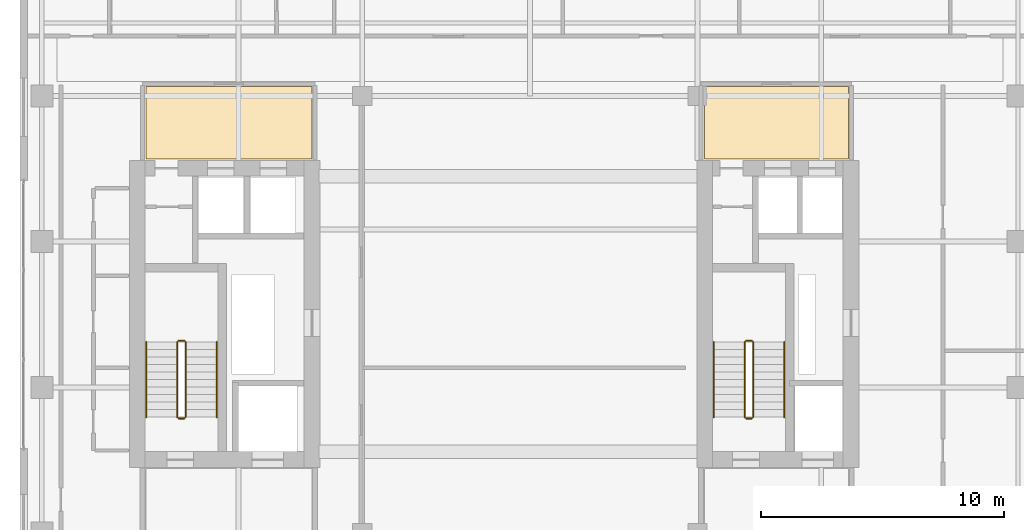
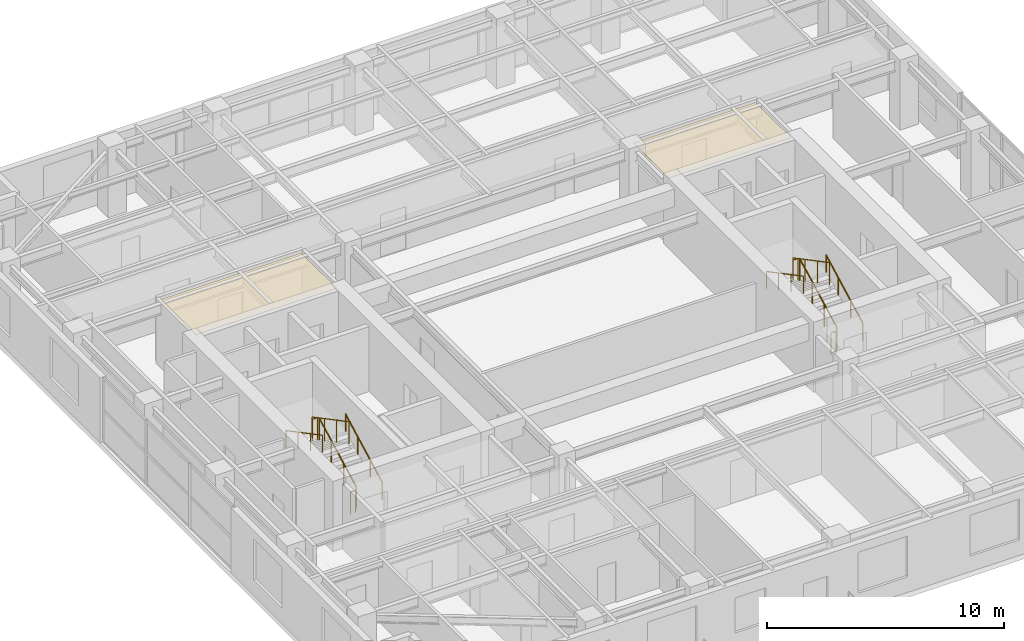
# One storey, part 14 of 15: 12 railings, 2 coverings.
"""IFC4 building model written with IfcOpenShell, lengths in metres."""

from ifc_helpers import new_model, si_unit, direction, frame, origin, origin_2d, place, context, subcontext, project, spatial, polyline, circle, outline, extrude, material, layer, layer_set, type_object, element, save


model = new_model("IFC4")

# Units and contexts
model_context = context("Model", 3, precision=1e-05, world=origin(), true_north=direction((0.0, 1.0)))
body_context = subcontext(model_context, "Body", "Model", "MODEL_VIEW")
ifc_project = project(units=[si_unit("LENGTHUNIT", "METRE"), si_unit("AREAUNIT", "SQUARE_METRE"), si_unit("VOLUMEUNIT", "CUBIC_METRE"), si_unit("PLANEANGLEUNIT", "RADIAN"), si_unit("MASSUNIT", "GRAM", prefix="KILO")], contexts=[model_context])

# Site, building, storey
site_placement = place(None, origin())
site = spatial("IfcSite", under=ifc_project, at=site_placement, CompositionType="ELEMENT")
building_placement = place(site_placement, origin())
building = spatial("IfcBuilding", under=site, at=building_placement, Name="Khoralis Quay Care Tower", CompositionType="ELEMENT")
storey_placement = place(building_placement, frame((0.0, 0.0, 162.89990234375)))
storey = spatial("IfcBuildingStorey", under=building, at=storey_placement, Name="L42", CompositionType="ELEMENT", Elevation=162.89990234375)

# Coverings
ifc_material_1 = material(Name="Mineral-fibre acoustic ceiling tile")
ifc_layer = layer(ifc_material_1, 0.01806640625)
ifc_layer_set = layer_set([ifc_layer], Name="Mineral-fibre acoustic ceiling tile")
covering_type = type_object("IfcCoveringType", Name="COV-CEIL-AC18", PredefinedType="CEILING", material=ifc_layer_set)
covering_1_placement = place(storey_placement, frame((0.0, 0.0, 3.192138671875)))
element("IfcCovering", 1, at=covering_1_placement, inside=storey, type_object=covering_type, Name="Suspended Acoustic Ceiling SP-L42-LLOB-W", PredefinedType="CEILING", context=body_context, shape_type="SweptSolid", body=[
    extrude(outline(polyline([(8.179931640625, 27.39990234375), (15.02001953125, 27.39990234375), (15.02001953125, 30.389892578125), (8.179931640625, 30.389892578125), (8.179931640625, 27.39990234375)])), origin(), (0.0, 0.0, 1.0), 0.01806640625),
])
covering_2_placement = place(storey_placement, frame((0.0, 0.0, 3.192138671875)))
element("IfcCovering", 2, at=covering_2_placement, inside=storey, type_object=covering_type, Name="Suspended Acoustic Ceiling SP-L42-LLOB-E", PredefinedType="CEILING", context=body_context, shape_type="SweptSolid", body=[
    extrude(outline(polyline([(31.179931640625, 27.39990234375), (37.1201171875, 27.39990234375), (37.1201171875, 30.389892578125), (31.179931640625, 30.389892578125), (31.179931640625, 27.39990234375)])), origin(), (0.0, 0.0, 1.0), 0.01806640625),
])

# Railings
ifc_material_2 = material(Name="Brushed stainless steel", Category="steel")
railing_type_1 = type_object("IfcRailingType", Name="RL-GUARD-1150", PredefinedType="GUARDRAIL", material=ifc_material_2)
railing_1_placement = place(storey_placement, frame((9.820068359375, 16.77001953125, 0.163818359375)))
element("IfcRailing", 3, at=railing_1_placement, inside=storey, type_object=railing_type_1, Name="L42 ST-T1 stair guard 1", PredefinedType="GUARDRAIL", context=body_context, shape_type="SweptSolid", body=[
    extrude(circle(Radius=0.02392578125, at=origin_2d()), frame((0.0, 0.0, 1.1259765625), z_axis=(0.0, 0.884376766648, 0.46677375099), x_axis=(-1.0, 0.0, 0.0)), (0.0, 0.0, 1.0), 3.50537109375),
    extrude(circle(Radius=0.02099609375, at=origin_2d()), origin(), (0.0, 0.0, 1.0), 1.101806640625),
    extrude(circle(Radius=0.02099609375, at=origin_2d()), frame((0.0, 1.033447265625, 0.54541015625)), (0.0, 0.0, 1.0), 1.101806640625),
    extrude(circle(Radius=0.02099609375, at=origin_2d()), frame((0.0, 2.066650390625, 1.0908203125)), (0.0, 0.0, 1.0), 1.101806640625),
    extrude(circle(Radius=0.02099609375, at=origin_2d()), frame((0.0, 3.10009765625, 1.63623046875)), (0.0, 0.0, 1.0), 1.101806640625),
])
railing_2_placement = place(storey_placement, frame((9.77001953125, 19.919921875, 1.800048828125)))
element("IfcRailing", 4, at=railing_2_placement, inside=storey, type_object=railing_type_1, Name="L42 ST-T1 stair guard 2", PredefinedType="GUARDRAIL", context=body_context, shape_type="SweptSolid", body=[
    extrude(circle(Radius=0.02392578125, at=origin_2d()), frame((0.0, 0.0, 1.1259765625), z_axis=(-1.0, 0.0, 0.0), x_axis=(0.0, -1.0, 0.0)), (0.0, 0.0, 1.0), 0.239990234375),
    extrude(circle(Radius=0.02099609375, at=origin_2d()), origin(), (0.0, 0.0, 1.0), 1.101806640625),
    extrude(circle(Radius=0.02099609375, at=origin_2d()), frame((-0.239990234375, 0.0, 0.0)), (0.0, 0.0, 1.0), 1.101806640625),
])
railing_3_placement = place(storey_placement, frame((9.47998046875, 19.8701171875, 1.963623046875)))
element("IfcRailing", 5, at=railing_3_placement, inside=storey, type_object=railing_type_1, Name="L42 ST-T1 stair guard 3", PredefinedType="GUARDRAIL", context=body_context, shape_type="SweptSolid", body=[
    extrude(circle(Radius=0.02392578125, at=origin_2d()), frame((0.0, 0.0, 1.1259765625), z_axis=(0.0, -0.884348015382, 0.466828220752), x_axis=(1.0, 0.0, 0.0)), (0.0, 0.0, 1.0), 3.505615234375),
    extrude(circle(Radius=0.02099609375, at=origin_2d()), origin(), (0.0, 0.0, 1.0), 1.101806640625),
    extrude(circle(Radius=0.02099609375, at=origin_2d()), frame((0.0, -1.033447265625, 0.54541015625)), (0.0, 0.0, 1.0), 1.101806640625),
    extrude(circle(Radius=0.02099609375, at=origin_2d()), frame((0.0, -2.066650390625, 1.091064453125)), (0.0, 0.0, 1.0), 1.101806640625),
    extrude(circle(Radius=0.02099609375, at=origin_2d()), frame((0.0, -3.10009765625, 1.636474609375)), (0.0, 0.0, 1.0), 1.101806640625),
])
railing_4_placement = place(storey_placement, frame((9.77001953125, 16.719970703125, 0.0)))
element("IfcRailing", 6, at=railing_4_placement, inside=storey, type_object=railing_type_1, Name="L42 ST-T1 stair guard 4", PredefinedType="GUARDRAIL", context=body_context, shape_type="SweptSolid", body=[
    extrude(circle(Radius=0.02392578125, at=origin_2d()), frame((0.0, 0.0, 1.1259765625), z_axis=(-1.0, 0.0, 0.0), x_axis=(0.0, -1.0, 0.0)), (0.0, 0.0, 1.0), 0.239990234375),
    extrude(circle(Radius=0.02099609375, at=origin_2d()), origin(), (0.0, 0.0, 1.0), 1.101806640625),
    extrude(circle(Radius=0.02099609375, at=origin_2d()), frame((-0.239990234375, 0.0, 0.0)), (0.0, 0.0, 1.0), 1.101806640625),
])
railing_5_placement = place(storey_placement, frame((33.18994140625, 16.77001953125, 0.163818359375)))
element("IfcRailing", 7, at=railing_5_placement, inside=storey, type_object=railing_type_1, Name="L42 ST-T2 stair guard 1", PredefinedType="GUARDRAIL", context=body_context, shape_type="SweptSolid", body=[
    extrude(circle(Radius=0.02392578125, at=origin_2d()), frame((0.0, 0.0, 1.1259765625), z_axis=(0.0, 0.884376766648, 0.46677375099), x_axis=(-1.0, 0.0, 0.0)), (0.0, 0.0, 1.0), 3.50537109375),
    extrude(circle(Radius=0.02099609375, at=origin_2d()), origin(), (0.0, 0.0, 1.0), 1.101806640625),
    extrude(circle(Radius=0.02099609375, at=origin_2d()), frame((0.0, 1.033447265625, 0.54541015625)), (0.0, 0.0, 1.0), 1.101806640625),
    extrude(circle(Radius=0.02099609375, at=origin_2d()), frame((0.0, 2.066650390625, 1.0908203125)), (0.0, 0.0, 1.0), 1.101806640625),
    extrude(circle(Radius=0.02099609375, at=origin_2d()), frame((0.0, 3.10009765625, 1.63623046875)), (0.0, 0.0, 1.0), 1.101806640625),
])
railing_6_placement = place(storey_placement, frame((33.139892578125, 19.919921875, 1.800048828125)))
element("IfcRailing", 8, at=railing_6_placement, inside=storey, type_object=railing_type_1, Name="L42 ST-T2 stair guard 2", PredefinedType="GUARDRAIL", context=body_context, shape_type="SweptSolid", body=[
    extrude(circle(Radius=0.02392578125, at=origin_2d()), frame((0.0, 0.0, 1.1259765625), z_axis=(-1.0, 0.0, 0.0), x_axis=(0.0, -1.0, 0.0)), (0.0, 0.0, 1.0), 0.239990234375),
    extrude(circle(Radius=0.02099609375, at=origin_2d()), origin(), (0.0, 0.0, 1.0), 1.101806640625),
    extrude(circle(Radius=0.02099609375, at=origin_2d()), frame((-0.239990234375, 0.0, 0.0)), (0.0, 0.0, 1.0), 1.101806640625),
])
railing_7_placement = place(storey_placement, frame((32.85009765625, 19.8701171875, 1.963623046875)))
element("IfcRailing", 9, at=railing_7_placement, inside=storey, type_object=railing_type_1, Name="L42 ST-T2 stair guard 3", PredefinedType="GUARDRAIL", context=body_context, shape_type="SweptSolid", body=[
    extrude(circle(Radius=0.02392578125, at=origin_2d()), frame((0.0, 0.0, 1.1259765625), z_axis=(0.0, -0.884348015382, 0.466828220752), x_axis=(1.0, 0.0, 0.0)), (0.0, 0.0, 1.0), 3.505615234375),
    extrude(circle(Radius=0.02099609375, at=origin_2d()), origin(), (0.0, 0.0, 1.0), 1.101806640625),
    extrude(circle(Radius=0.02099609375, at=origin_2d()), frame((0.0, -1.033447265625, 0.54541015625)), (0.0, 0.0, 1.0), 1.101806640625),
    extrude(circle(Radius=0.02099609375, at=origin_2d()), frame((0.0, -2.066650390625, 1.091064453125)), (0.0, 0.0, 1.0), 1.101806640625),
    extrude(circle(Radius=0.02099609375, at=origin_2d()), frame((0.0, -3.10009765625, 1.636474609375)), (0.0, 0.0, 1.0), 1.101806640625),
])
railing_8_placement = place(storey_placement, frame((33.139892578125, 16.719970703125, 0.0)))
element("IfcRailing", 10, at=railing_8_placement, inside=storey, type_object=railing_type_1, Name="L42 ST-T2 stair guard 4", PredefinedType="GUARDRAIL", context=body_context, shape_type="SweptSolid", body=[
    extrude(circle(Radius=0.02392578125, at=origin_2d()), frame((0.0, 0.0, 1.1259765625), z_axis=(-1.0, 0.0, 0.0), x_axis=(0.0, -1.0, 0.0)), (0.0, 0.0, 1.0), 0.239990234375),
    extrude(circle(Radius=0.02099609375, at=origin_2d()), origin(), (0.0, 0.0, 1.0), 1.101806640625),
    extrude(circle(Radius=0.02099609375, at=origin_2d()), frame((-0.239990234375, 0.0, 0.0)), (0.0, 0.0, 1.0), 1.101806640625),
])
railing_type_2 = type_object("IfcRailingType", Name="RL-HAND-900", PredefinedType="HANDRAIL", material=ifc_material_2)
railing_9_placement = place(storey_placement, frame((11.10009765625, 16.77001953125, 0.163818359375)))
element("IfcRailing", 11, at=railing_9_placement, inside=storey, type_object=railing_type_2, Name="L42 ST-T1 stair handrail 1", PredefinedType="HANDRAIL", context=body_context, shape_type="SweptSolid", body=[
    extrude(circle(Radius=0.02392578125, at=origin_2d()), frame((0.0, 0.0, 0.8759765625), z_axis=(0.0, 0.884376766648, 0.46677375099), x_axis=(-1.0, 0.0, 0.0)), (0.0, 0.0, 1.0), 3.50537109375),
    extrude(circle(Radius=0.02099609375, at=origin_2d()), origin(), (0.0, 0.0, 1.0), 0.851806640625),
    extrude(circle(Radius=0.02099609375, at=origin_2d()), frame((0.0, 1.033447265625, 0.54541015625)), (0.0, 0.0, 1.0), 0.851806640625),
    extrude(circle(Radius=0.02099609375, at=origin_2d()), frame((0.0, 2.066650390625, 1.0908203125)), (0.0, 0.0, 1.0), 0.851806640625),
    extrude(circle(Radius=0.02099609375, at=origin_2d()), frame((0.0, 3.10009765625, 1.63623046875)), (0.0, 0.0, 1.0), 0.851806640625),
])
railing_10_placement = place(storey_placement, frame((8.199951171875, 19.8701171875, 1.963623046875)))
element("IfcRailing", 12, at=railing_10_placement, inside=storey, type_object=railing_type_2, Name="L42 ST-T1 stair handrail 2", PredefinedType="HANDRAIL", context=body_context, shape_type="SweptSolid", body=[
    extrude(circle(Radius=0.02392578125, at=origin_2d()), frame((0.0, 0.0, 0.8759765625), z_axis=(0.0, -0.884348015382, 0.466828220752), x_axis=(1.0, 0.0, 0.0)), (0.0, 0.0, 1.0), 3.505615234375),
    extrude(circle(Radius=0.02099609375, at=origin_2d()), origin(), (0.0, 0.0, 1.0), 0.851806640625),
    extrude(circle(Radius=0.02099609375, at=origin_2d()), frame((0.0, -1.033447265625, 0.54541015625)), (0.0, 0.0, 1.0), 0.851806640625),
    extrude(circle(Radius=0.02099609375, at=origin_2d()), frame((0.0, -2.066650390625, 1.091064453125)), (0.0, 0.0, 1.0), 0.851806640625),
    extrude(circle(Radius=0.02099609375, at=origin_2d()), frame((0.0, -3.10009765625, 1.636474609375)), (0.0, 0.0, 1.0), 0.851806640625),
])
railing_11_placement = place(storey_placement, frame((34.469970703125, 16.77001953125, 0.163818359375)))
element("IfcRailing", 13, at=railing_11_placement, inside=storey, type_object=railing_type_2, Name="L42 ST-T2 stair handrail 1", PredefinedType="HANDRAIL", context=body_context, shape_type="SweptSolid", body=[
    extrude(circle(Radius=0.02392578125, at=origin_2d()), frame((0.0, 0.0, 0.8759765625), z_axis=(0.0, 0.884376766648, 0.46677375099), x_axis=(-1.0, 0.0, 0.0)), (0.0, 0.0, 1.0), 3.50537109375),
    extrude(circle(Radius=0.02099609375, at=origin_2d()), origin(), (0.0, 0.0, 1.0), 0.851806640625),
    extrude(circle(Radius=0.02099609375, at=origin_2d()), frame((0.0, 1.033447265625, 0.54541015625)), (0.0, 0.0, 1.0), 0.851806640625),
    extrude(circle(Radius=0.02099609375, at=origin_2d()), frame((0.0, 2.066650390625, 1.0908203125)), (0.0, 0.0, 1.0), 0.851806640625),
    extrude(circle(Radius=0.02099609375, at=origin_2d()), frame((0.0, 3.10009765625, 1.63623046875)), (0.0, 0.0, 1.0), 0.851806640625),
])
railing_12_placement = place(storey_placement, frame((31.570068359375, 19.8701171875, 1.963623046875)))
element("IfcRailing", 14, at=railing_12_placement, inside=storey, type_object=railing_type_2, Name="L42 ST-T2 stair handrail 2", PredefinedType="HANDRAIL", context=body_context, shape_type="SweptSolid", body=[
    extrude(circle(Radius=0.02392578125, at=origin_2d()), frame((0.0, 0.0, 0.8759765625), z_axis=(0.0, -0.884348015382, 0.466828220752), x_axis=(1.0, 0.0, 0.0)), (0.0, 0.0, 1.0), 3.505615234375),
    extrude(circle(Radius=0.02099609375, at=origin_2d()), origin(), (0.0, 0.0, 1.0), 0.851806640625),
    extrude(circle(Radius=0.02099609375, at=origin_2d()), frame((0.0, -1.033447265625, 0.54541015625)), (0.0, 0.0, 1.0), 0.851806640625),
    extrude(circle(Radius=0.02099609375, at=origin_2d()), frame((0.0, -2.066650390625, 1.091064453125)), (0.0, 0.0, 1.0), 0.851806640625),
    extrude(circle(Radius=0.02099609375, at=origin_2d()), frame((0.0, -3.10009765625, 1.636474609375)), (0.0, 0.0, 1.0), 0.851806640625),
])

save(model, "model.ifc")
